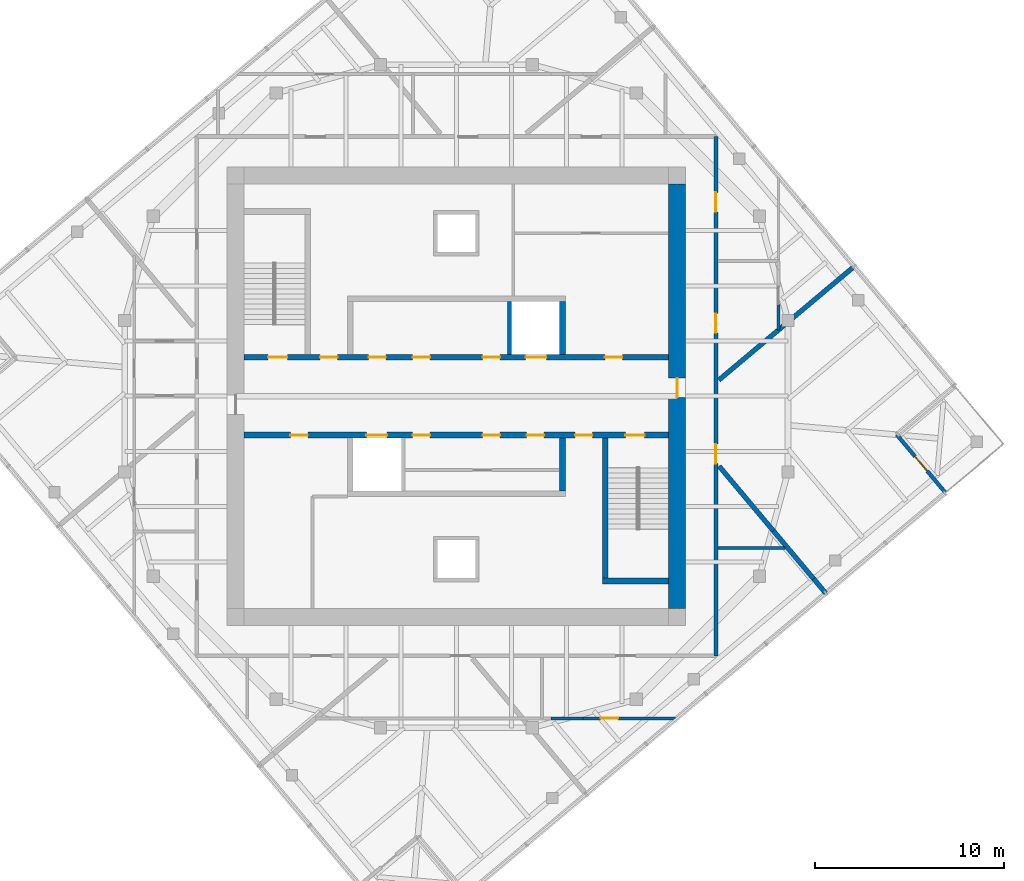
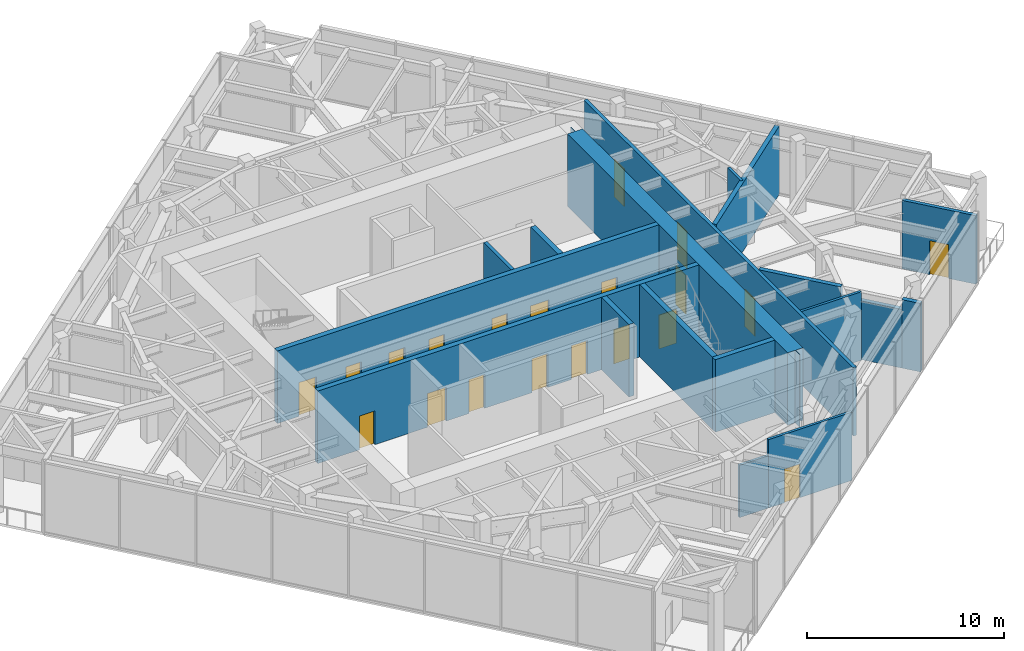
# One storey, part 9 of 11: 20 doors, 18 walls, 20 openings.
"""IFC4 building model written with IfcOpenShell, lengths in metres."""

from ifc_helpers import new_model, si_unit, direction, frame, frame_2d, origin, place, context, subcontext, project, spatial, polyline, rectangle, outline, extrude, material, layer, layer_set, type_object, element, fill, save


model = new_model("IFC4")

# Units and contexts
model_context = context("Model", 3, precision=1e-05, world=origin(), true_north=direction((0.0, 1.0)))
body_context = subcontext(model_context, "Body", "Model", "MODEL_VIEW")
ifc_project = project(units=[si_unit("LENGTHUNIT", "METRE"), si_unit("AREAUNIT", "SQUARE_METRE"), si_unit("VOLUMEUNIT", "CUBIC_METRE"), si_unit("PLANEANGLEUNIT", "RADIAN"), si_unit("MASSUNIT", "GRAM", prefix="KILO")], contexts=[model_context])

# Site, building, storey
site_placement = place(None, origin())
site = spatial("IfcSite", under=ifc_project, at=site_placement, CompositionType="ELEMENT")
building_placement = place(site_placement, origin())
building = spatial("IfcBuilding", under=site, at=building_placement, Name="Torsade Residences", CompositionType="ELEMENT")
storey_placement = place(building_placement, frame((0.0, 0.0, 304.300048828125)))
storey = spatial("IfcBuildingStorey", under=building, at=storey_placement, Name="L84", CompositionType="ELEMENT", Elevation=304.300048828125)

# Wall, openings, doors
ifc_material_1 = material(Name="Concrete 80 MPa", Category="concrete")
ifc_layer_1 = layer(ifc_material_1, 0.300048828125)
ifc_layer_set_1 = layer_set([ifc_layer_1], Name="Concrete 80 MPa")
wall_type_1 = type_object("IfcWallType", Name="CORE INTERNAL WALL 300", PredefinedType="SHEAR", material=ifc_layer_set_1)
wall_1_placement = place(storey_placement, frame((28.800048828125, 32.050048828125, 0.0), z_axis=(0.0, 0.0, 1.0), x_axis=(1.0, 0.0, 0.0)))
wall_1 = element("IfcWall", 1, at=wall_1_placement, inside=storey, type_object=wall_type_1, Name="Core wall LN L84", PredefinedType="SHEAR", context=body_context, shape_type="SweptSolid", body=[
    extrude(rectangle(XDim=22.39990234375, YDim=0.300048828125, at=frame_2d((11.199951171875, 0.0))), origin(), (0.0, 0.0, 1.0), 4.5),
])
opening_1_placement = place(wall_1_placement, frame((19.0400390625, 0.0, 0.0)))
opening_1 = element("IfcOpeningElement", 2, at=opening_1_placement, cuts=wall_1, Name="Opening D06", PredefinedType="OPENING", context=body_context, shape_type="SweptSolid", body=[
    extrude(rectangle(XDim=0.919921875, YDim=2.10009765625, at=frame_2d((0.4599609375, 1.050048828125))), frame((0.0, 0.159912109375, 0.0), z_axis=(0.0, -1.0, 0.0), x_axis=(1.0, 0.0, 0.0)), (0.0, 0.0, 1.0), 0.320068359375),
])
opening_2_placement = place(wall_1_placement, frame((1.264892578125, 0.0, 0.0)))
opening_2 = element("IfcOpeningElement", 3, at=opening_2_placement, cuts=wall_1, Name="Opening D03", PredefinedType="OPENING", context=body_context, shape_type="SweptSolid", body=[
    extrude(rectangle(XDim=1.02001953125, YDim=2.10009765625, at=frame_2d((0.510009765625, 1.050048828125))), frame((0.0, 0.159912109375, 0.0), z_axis=(0.0, -1.0, 0.0), x_axis=(1.0, 0.0, 0.0)), (0.0, 0.0, 1.0), 0.320068359375),
])
opening_3_placement = place(wall_1_placement, frame((4.014892578125, 0.0, 0.0)))
opening_3 = element("IfcOpeningElement", 4, at=opening_3_placement, cuts=wall_1, Name="Opening D06", PredefinedType="OPENING", context=body_context, shape_type="SweptSolid", body=[
    extrude(rectangle(XDim=0.919921875, YDim=2.10009765625, at=frame_2d((0.4599609375, 1.050048828125))), frame((0.0, 0.159912109375, 0.0), z_axis=(0.0, -1.0, 0.0), x_axis=(1.0, 0.0, 0.0)), (0.0, 0.0, 1.0), 0.320068359375),
])
opening_4_placement = place(wall_1_placement, frame((6.56494140625, 0.0, 0.0)))
opening_4 = element("IfcOpeningElement", 5, at=opening_4_placement, cuts=wall_1, Name="Opening D06", PredefinedType="OPENING", context=body_context, shape_type="SweptSolid", body=[
    extrude(rectangle(XDim=0.919921875, YDim=2.10009765625, at=frame_2d((0.4599609375, 1.050048828125))), frame((0.0, 0.159912109375, 0.0), z_axis=(0.0, -1.0, 0.0), x_axis=(1.0, 0.0, 0.0)), (0.0, 0.0, 1.0), 0.320068359375),
])
opening_5_placement = place(wall_1_placement, frame((8.889892578125, 0.0, 0.0)))
opening_5 = element("IfcOpeningElement", 6, at=opening_5_placement, cuts=wall_1, Name="Opening D06", PredefinedType="OPENING", context=body_context, shape_type="SweptSolid", body=[
    extrude(rectangle(XDim=0.919921875, YDim=2.10009765625, at=frame_2d((0.4599609375, 1.050048828125))), frame((0.0, 0.159912109375, 0.0), z_axis=(0.0, -1.0, 0.0), x_axis=(1.0, 0.0, 0.0)), (0.0, 0.0, 1.0), 0.320068359375),
])
opening_6_placement = place(wall_1_placement, frame((12.590087890625, 0.0, 0.0)))
opening_6 = element("IfcOpeningElement", 7, at=opening_6_placement, cuts=wall_1, Name="Opening D06", PredefinedType="OPENING", context=body_context, shape_type="SweptSolid", body=[
    extrude(rectangle(XDim=0.919921875, YDim=2.10009765625, at=frame_2d((0.4599609375, 1.050048828125))), frame((0.0, 0.159912109375, 0.0), z_axis=(0.0, -1.0, 0.0), x_axis=(1.0, 0.0, 0.0)), (0.0, 0.0, 1.0), 0.320068359375),
])
opening_7_placement = place(wall_1_placement, frame((14.85009765625, 0.0, 0.0)))
opening_7 = element("IfcOpeningElement", 8, at=opening_7_placement, cuts=wall_1, Name="Opening LD", PredefinedType="OPENING", context=body_context, shape_type="SweptSolid", body=[
    extrude(rectangle(XDim=1.10009765625, YDim=2.10009765625, at=frame_2d((0.550048828125, 1.050048828125))), frame((0.0, 0.159912109375, 0.0), z_axis=(0.0, -1.0, 0.0), x_axis=(1.0, 0.0, 0.0)), (0.0, 0.0, 1.0), 0.320068359375),
])
ifc_material_2 = material(Name="Steel-framed fire door", Category="steel")
door_type_1 = type_object("IfcDoorType", Name="FIRE DOOR 1020", OperationType="NOTDEFINED", PredefinedType="DOOR", material=ifc_material_2)
door_1_placement = place(opening_2_placement, origin())
door_1 = element("IfcDoor", 9, at=door_1_placement, inside=storey, type_object=door_type_1, Name="Exit door to fire-isolated stair ST1 L84", OperationType="SINGLE_SWING_RIGHT", OverallHeight=2.10009765625, OverallWidth=1.02001953125, PredefinedType="DOOR", context=body_context, shape_type="SweptSolid", body=[
    extrude(rectangle(XDim=1.02001953125, YDim=2.10009765625, at=frame_2d((0.510009765625, 1.050048828125))), frame((0.0, 0.02490234375, 0.0), z_axis=(0.0, -1.0, 0.0), x_axis=(1.0, 0.0, 0.0)), (0.0, 0.0, 1.0), 0.050048828125),
])
fill(opening_2, door_1)
ifc_material_3 = material(Name="Steel-framed fire door", Category="steel")
door_type_2 = type_object("IfcDoorType", Name="FIRE DOOR 920", OperationType="NOTDEFINED", PredefinedType="DOOR", material=ifc_material_3)
door_2_placement = place(opening_1_placement, origin())
door_2 = element("IfcDoor", 10, at=door_2_placement, inside=storey, type_object=door_type_2, Name="Door Lift lobby to Refuse room", OperationType="SINGLE_SWING_LEFT", OverallHeight=2.10009765625, OverallWidth=0.919921875, PredefinedType="DOOR", context=body_context, shape_type="SweptSolid", body=[
    extrude(rectangle(XDim=0.919921875, YDim=2.10009765625, at=frame_2d((0.4599609375, 1.050048828125))), frame((0.0, 0.02490234375, 0.0), z_axis=(0.0, -1.0, 0.0), x_axis=(1.0, 0.0, 0.0)), (0.0, 0.0, 1.0), 0.050048828125),
])
fill(opening_1, door_2)
door_3_placement = place(opening_3_placement, origin())
door_3 = element("IfcDoor", 11, at=door_3_placement, inside=storey, type_object=door_type_2, Name="Door Lift lobby to Electrical riser room", OperationType="SINGLE_SWING_LEFT", OverallHeight=2.10009765625, OverallWidth=0.919921875, PredefinedType="DOOR", context=body_context, shape_type="SweptSolid", body=[
    extrude(rectangle(XDim=0.919921875, YDim=2.10009765625, at=frame_2d((0.4599609375, 1.050048828125))), frame((0.0, 0.02490234375, 0.0), z_axis=(0.0, -1.0, 0.0), x_axis=(1.0, 0.0, 0.0)), (0.0, 0.0, 1.0), 0.050048828125),
])
fill(opening_3, door_3)
door_4_placement = place(opening_4_placement, origin())
door_4 = element("IfcDoor", 12, at=door_4_placement, inside=storey, type_object=door_type_2, Name="Door Lift lobby to Tools store L84A", OperationType="SINGLE_SWING_RIGHT", OverallHeight=2.10009765625, OverallWidth=0.919921875, PredefinedType="DOOR", context=body_context, shape_type="SweptSolid", body=[
    extrude(rectangle(XDim=0.919921875, YDim=2.10009765625, at=frame_2d((0.4599609375, 1.050048828125))), frame((0.0, 0.02490234375, 0.0), z_axis=(0.0, -1.0, 0.0), x_axis=(1.0, 0.0, 0.0)), (0.0, 0.0, 1.0), 0.050048828125),
])
fill(opening_4, door_4)
door_5_placement = place(opening_5_placement, origin())
door_5 = element("IfcDoor", 13, at=door_5_placement, inside=storey, type_object=door_type_2, Name="Door Lift lobby to Tools store L84A", OperationType="SINGLE_SWING_LEFT", OverallHeight=2.10009765625, OverallWidth=0.919921875, PredefinedType="DOOR", context=body_context, shape_type="SweptSolid", body=[
    extrude(rectangle(XDim=0.919921875, YDim=2.10009765625, at=frame_2d((0.4599609375, 1.050048828125))), frame((0.0, 0.02490234375, 0.0), z_axis=(0.0, -1.0, 0.0), x_axis=(1.0, 0.0, 0.0)), (0.0, 0.0, 1.0), 0.050048828125),
])
fill(opening_5, door_5)
door_6_placement = place(opening_6_placement, origin())
door_6 = element("IfcDoor", 14, at=door_6_placement, inside=storey, type_object=door_type_2, Name="Door Lift lobby to Tools store L84A", OperationType="SINGLE_SWING_RIGHT", OverallHeight=2.10009765625, OverallWidth=0.919921875, PredefinedType="DOOR", context=body_context, shape_type="SweptSolid", body=[
    extrude(rectangle(XDim=0.919921875, YDim=2.10009765625, at=frame_2d((0.4599609375, 1.050048828125))), frame((0.0, 0.02490234375, 0.0), z_axis=(0.0, -1.0, 0.0), x_axis=(1.0, 0.0, 0.0)), (0.0, 0.0, 1.0), 0.050048828125),
])
fill(opening_6, door_6)
ifc_material_4 = material(Name="Stainless steel lift landing door", Category="steel")
door_type_3 = type_object("IfcDoorType", Name="LIFT LANDING DOOR 1100", OperationType="SLIDING_TO_LEFT", PredefinedType="DOOR", material=ifc_material_4)
door_7_placement = place(opening_7_placement, origin())
door_7 = element("IfcDoor", 15, at=door_7_placement, inside=storey, type_object=door_type_3, Name="Lift FL1 landing door L84", OperationType="SLIDING_TO_LEFT", OverallHeight=2.10009765625, OverallWidth=1.10009765625, PredefinedType="DOOR", context=body_context, shape_type="SweptSolid", body=[
    extrude(rectangle(XDim=1.10009765625, YDim=2.10009765625, at=frame_2d((0.550048828125, 1.050048828125))), frame((0.0, 0.02490234375, 0.0), z_axis=(0.0, -1.0, 0.0), x_axis=(1.0, 0.0, 0.0)), (0.0, 0.0, 1.0), 0.050048828125),
])
fill(opening_7, door_7)

wall_2_placement = place(storey_placement, frame((51.199951171875, 27.949951171875, 0.0), z_axis=(0.0, 0.0, 1.0), x_axis=(-1.0, 0.0, 0.0)))
wall_2 = element("IfcWall", 16, at=wall_2_placement, inside=storey, type_object=wall_type_1, Name="Core wall LS L84", PredefinedType="SHEAR", context=body_context, shape_type="SweptSolid", body=[
    extrude(rectangle(XDim=22.39990234375, YDim=0.300048828125, at=frame_2d((11.199951171875, 0.0))), origin(), (0.0, 0.0, 1.0), 4.5),
])
opening_8_placement = place(wall_2_placement, frame((19.0400390625, 0.0, 0.0)))
opening_8 = element("IfcOpeningElement", 17, at=opening_8_placement, cuts=wall_2, Name="Opening D06", PredefinedType="OPENING", context=body_context, shape_type="SweptSolid", body=[
    extrude(rectangle(XDim=0.919921875, YDim=2.10009765625, at=frame_2d((0.4599609375, 1.050048828125))), frame((0.0, 0.159912109375, 0.0), z_axis=(0.0, -1.0, 0.0), x_axis=(1.0, 0.0, 0.0)), (0.0, 0.0, 1.0), 0.320068359375),
])
opening_9_placement = place(wall_2_placement, frame((1.264892578125, 0.0, 0.0)))
opening_9 = element("IfcOpeningElement", 18, at=opening_9_placement, cuts=wall_2, Name="Opening D03", PredefinedType="OPENING", context=body_context, shape_type="SweptSolid", body=[
    extrude(rectangle(XDim=1.02001953125, YDim=2.10009765625, at=frame_2d((0.510009765625, 1.050048828125))), frame((0.0, 0.159912109375, 0.0), z_axis=(0.0, -1.0, 0.0), x_axis=(1.0, 0.0, 0.0)), (0.0, 0.0, 1.0), 0.320068359375),
])
opening_10_placement = place(wall_2_placement, frame((4.014892578125, 0.0, 0.0)))
opening_10 = element("IfcOpeningElement", 19, at=opening_10_placement, cuts=wall_2, Name="Opening D06", PredefinedType="OPENING", context=body_context, shape_type="SweptSolid", body=[
    extrude(rectangle(XDim=0.919921875, YDim=2.10009765625, at=frame_2d((0.4599609375, 1.050048828125))), frame((0.0, 0.159912109375, 0.0), z_axis=(0.0, -1.0, 0.0), x_axis=(1.0, 0.0, 0.0)), (0.0, 0.0, 1.0), 0.320068359375),
])
opening_11_placement = place(wall_2_placement, frame((12.590087890625, 0.0, 0.0)))
opening_11 = element("IfcOpeningElement", 20, at=opening_11_placement, cuts=wall_2, Name="Opening D06", PredefinedType="OPENING", context=body_context, shape_type="SweptSolid", body=[
    extrude(rectangle(XDim=0.919921875, YDim=2.10009765625, at=frame_2d((0.4599609375, 1.050048828125))), frame((0.0, 0.159912109375, 0.0), z_axis=(0.0, -1.0, 0.0), x_axis=(1.0, 0.0, 0.0)), (0.0, 0.0, 1.0), 0.320068359375),
])
opening_12_placement = place(wall_2_placement, frame((8.889892578125, 0.0, 0.0)))
opening_12 = element("IfcOpeningElement", 21, at=opening_12_placement, cuts=wall_2, Name="Opening D06", PredefinedType="OPENING", context=body_context, shape_type="SweptSolid", body=[
    extrude(rectangle(XDim=0.919921875, YDim=2.10009765625, at=frame_2d((0.4599609375, 1.050048828125))), frame((0.0, 0.159912109375, 0.0), z_axis=(0.0, -1.0, 0.0), x_axis=(1.0, 0.0, 0.0)), (0.0, 0.0, 1.0), 0.320068359375),
])
opening_13_placement = place(wall_2_placement, frame((6.56494140625, 0.0, 0.0)))
opening_13 = element("IfcOpeningElement", 22, at=opening_13_placement, cuts=wall_2, Name="Opening D06", PredefinedType="OPENING", context=body_context, shape_type="SweptSolid", body=[
    extrude(rectangle(XDim=0.919921875, YDim=2.10009765625, at=frame_2d((0.4599609375, 1.050048828125))), frame((0.0, 0.159912109375, 0.0), z_axis=(0.0, -1.0, 0.0), x_axis=(1.0, 0.0, 0.0)), (0.0, 0.0, 1.0), 0.320068359375),
])
opening_14_placement = place(wall_2_placement, frame((14.85009765625, 0.0, 0.0)))
opening_14 = element("IfcOpeningElement", 23, at=opening_14_placement, cuts=wall_2, Name="Opening LD", PredefinedType="OPENING", context=body_context, shape_type="SweptSolid", body=[
    extrude(rectangle(XDim=1.10009765625, YDim=2.10009765625, at=frame_2d((0.550048828125, 1.050048828125))), frame((0.0, 0.159912109375, 0.0), z_axis=(0.0, -1.0, 0.0), x_axis=(1.0, 0.0, 0.0)), (0.0, 0.0, 1.0), 0.320068359375),
])
door_8_placement = place(opening_9_placement, origin())
door_8 = element("IfcDoor", 24, at=door_8_placement, inside=storey, type_object=door_type_1, Name="Exit door to fire-isolated stair ST2 L84", OperationType="SINGLE_SWING_RIGHT", OverallHeight=2.10009765625, OverallWidth=1.02001953125, PredefinedType="DOOR", context=body_context, shape_type="SweptSolid", body=[
    extrude(rectangle(XDim=1.02001953125, YDim=2.10009765625, at=frame_2d((0.510009765625, 1.050048828125))), frame((0.0, 0.02490234375, 0.0), z_axis=(0.0, -1.0, 0.0), x_axis=(1.0, 0.0, 0.0)), (0.0, 0.0, 1.0), 0.050048828125),
])
fill(opening_9, door_8)
door_9_placement = place(opening_8_placement, origin())
door_9 = element("IfcDoor", 25, at=door_9_placement, inside=storey, type_object=door_type_2, Name="Door Lift lobby to Cleaner store", OperationType="SINGLE_SWING_LEFT", OverallHeight=2.10009765625, OverallWidth=0.919921875, PredefinedType="DOOR", context=body_context, shape_type="SweptSolid", body=[
    extrude(rectangle(XDim=0.919921875, YDim=2.10009765625, at=frame_2d((0.4599609375, 1.050048828125))), frame((0.0, 0.02490234375, 0.0), z_axis=(0.0, -1.0, 0.0), x_axis=(1.0, 0.0, 0.0)), (0.0, 0.0, 1.0), 0.050048828125),
])
fill(opening_8, door_9)
door_10_placement = place(opening_10_placement, origin())
door_10 = element("IfcDoor", 26, at=door_10_placement, inside=storey, type_object=door_type_2, Name="Door Lift lobby to Communications riser room", OperationType="SINGLE_SWING_RIGHT", OverallHeight=2.10009765625, OverallWidth=0.919921875, PredefinedType="DOOR", context=body_context, shape_type="SweptSolid", body=[
    extrude(rectangle(XDim=0.919921875, YDim=2.10009765625, at=frame_2d((0.4599609375, 1.050048828125))), frame((0.0, 0.02490234375, 0.0), z_axis=(0.0, -1.0, 0.0), x_axis=(1.0, 0.0, 0.0)), (0.0, 0.0, 1.0), 0.050048828125),
])
fill(opening_10, door_10)
door_11_placement = place(opening_11_placement, origin())
door_11 = element("IfcDoor", 27, at=door_11_placement, inside=storey, type_object=door_type_2, Name="Door Lift lobby to Filter store L84B", OperationType="SINGLE_SWING_RIGHT", OverallHeight=2.10009765625, OverallWidth=0.919921875, PredefinedType="DOOR", context=body_context, shape_type="SweptSolid", body=[
    extrude(rectangle(XDim=0.919921875, YDim=2.10009765625, at=frame_2d((0.4599609375, 1.050048828125))), frame((0.0, 0.02490234375, 0.0), z_axis=(0.0, -1.0, 0.0), x_axis=(1.0, 0.0, 0.0)), (0.0, 0.0, 1.0), 0.050048828125),
])
fill(opening_11, door_11)
door_12_placement = place(opening_12_placement, origin())
door_12 = element("IfcDoor", 28, at=door_12_placement, inside=storey, type_object=door_type_2, Name="Door Lift lobby to Filter store L84B", OperationType="SINGLE_SWING_LEFT", OverallHeight=2.10009765625, OverallWidth=0.919921875, PredefinedType="DOOR", context=body_context, shape_type="SweptSolid", body=[
    extrude(rectangle(XDim=0.919921875, YDim=2.10009765625, at=frame_2d((0.4599609375, 1.050048828125))), frame((0.0, 0.02490234375, 0.0), z_axis=(0.0, -1.0, 0.0), x_axis=(1.0, 0.0, 0.0)), (0.0, 0.0, 1.0), 0.050048828125),
])
fill(opening_12, door_12)
door_13_placement = place(opening_13_placement, origin())
door_13 = element("IfcDoor", 29, at=door_13_placement, inside=storey, type_object=door_type_2, Name="Door Lift lobby to Filter store L84B", OperationType="SINGLE_SWING_LEFT", OverallHeight=2.10009765625, OverallWidth=0.919921875, PredefinedType="DOOR", context=body_context, shape_type="SweptSolid", body=[
    extrude(rectangle(XDim=0.919921875, YDim=2.10009765625, at=frame_2d((0.4599609375, 1.050048828125))), frame((0.0, 0.02490234375, 0.0), z_axis=(0.0, -1.0, 0.0), x_axis=(1.0, 0.0, 0.0)), (0.0, 0.0, 1.0), 0.050048828125),
])
fill(opening_13, door_13)
door_14_placement = place(opening_14_placement, origin())
door_14 = element("IfcDoor", 30, at=door_14_placement, inside=storey, type_object=door_type_3, Name="Lift FL2 landing door L84", OperationType="SLIDING_TO_LEFT", OverallHeight=2.10009765625, OverallWidth=1.10009765625, PredefinedType="DOOR", context=body_context, shape_type="SweptSolid", body=[
    extrude(rectangle(XDim=1.10009765625, YDim=2.10009765625, at=frame_2d((0.550048828125, 1.050048828125))), frame((0.0, 0.02490234375, 0.0), z_axis=(0.0, -1.0, 0.0), x_axis=(1.0, 0.0, 0.0)), (0.0, 0.0, 1.0), 0.050048828125),
])
fill(opening_14, door_14)

# Walls
for number, where, z_axis, x_axis, name in (
    (31, (45.60009765625, 27.800048828125, 0.0), (0.0, 0.0, 1.0), (0.0, -1.0, 0.0), "Core wall DS0 L84"),
    (32, (45.60009765625, 32.199951171875, 0.0), (0.0, 0.0, 1.0), (0.0, 1.0, 0.0), "Core wall DN4 L84"),
):
    element("IfcWall", number, at=place(storey_placement, frame(where, z_axis=z_axis, x_axis=x_axis)), inside=storey, type_object=wall_type_1, Name=name, PredefinedType="SHEAR", context=body_context, shape_type="SweptSolid", body=[
        extrude(rectangle(XDim=2.800048828125, YDim=0.300048828125, at=frame_2d((1.39990234375, 0.0))), origin(), (0.0, 0.0, 1.0), 4.5),
    ])
wall_3_placement = place(storey_placement, frame((47.85009765625, 27.800048828125, 0.0), z_axis=(0.0, 0.0, 1.0), x_axis=(0.0, -1.0, 0.0)))
element("IfcWall", 33, at=wall_3_placement, inside=storey, type_object=wall_type_1, Name="Core wall ST2W L84", PredefinedType="SHEAR", context=body_context, shape_type="SweptSolid", body=[
    extrude(rectangle(XDim=7.699951171875, YDim=0.300048828125, at=frame_2d((3.85009765625, 0.0))), origin(), (0.0, 0.0, 1.0), 4.5),
])
wall_4_placement = place(storey_placement, frame((51.199951171875, 20.25, 0.0), z_axis=(0.0, 0.0, 1.0), x_axis=(-1.0, 0.0, 0.0)))
element("IfcWall", 34, at=wall_4_placement, inside=storey, type_object=wall_type_1, Name="Core wall ST2S L84", PredefinedType="SHEAR", context=body_context, shape_type="SweptSolid", body=[
    extrude(rectangle(XDim=3.5, YDim=0.300048828125, at=frame_2d((1.75, 0.0))), origin(), (0.0, 0.0, 1.0), 4.5),
])

# Wall, opening, door
ifc_material_5 = material(Name="Concrete 80 MPa", Category="concrete")
ifc_layer_2 = layer(ifc_material_5, 0.89990234375)
ifc_layer_set_2 = layer_set([ifc_layer_2], Name="Concrete 80 MPa")
wall_type_2 = type_object("IfcWallType", Name="CORE WALL 900", PredefinedType="SHEAR", material=ifc_layer_set_2)
wall_5_placement = place(storey_placement, frame((51.64990234375, 18.800048828125, 0.0), z_axis=(0.0, 0.0, 1.0), x_axis=(0.0, 1.0, 0.0)))
wall_5 = element("IfcWall", 35, at=wall_5_placement, inside=storey, type_object=wall_type_2, Name="Core wall E L84", PredefinedType="SHEAR", context=body_context, shape_type="SweptSolid", body=[
    extrude(outline(polyline([(0.0, -0.449951171875), (22.39990234375, -0.449951171875), (22.39990234375, -0.02490234375), (22.849853515625, -0.02490234375), (22.849853515625, 0.02490234375), (22.39990234375, 0.02490234375), (22.39990234375, 0.449951171875), (0.0, 0.449951171875), (0.0, 0.02490234375), (-0.449951171875, 0.02490234375), (-0.449951171875, -0.02490234375), (0.0, -0.02490234375), (0.0, -0.449951171875)])), origin(), (0.0, 0.0, 1.0), 4.5),
])
opening_15_placement = place(wall_5_placement, frame((11.139892578125, 0.0, 0.0)))
opening_15 = element("IfcOpeningElement", 36, at=opening_15_placement, cuts=wall_5, Name="Opening D04", PredefinedType="OPENING", context=body_context, shape_type="SweptSolid", body=[
    extrude(rectangle(XDim=1.02001953125, YDim=2.39990234375, at=frame_2d((0.510009765625, 1.199951171875))), frame((0.0, 0.4599609375, 0.0), z_axis=(0.0, -1.0, 0.0), x_axis=(1.0, 0.0, 0.0)), (0.0, 0.0, 1.0), 0.919921875),
])
ifc_material_6 = material(Name="Steel-framed fire door", Category="steel")
door_type_4 = type_object("IfcDoorType", Name="LOBBY SMOKE DOOR 1020x2400", OperationType="NOTDEFINED", PredefinedType="DOOR", material=ifc_material_6)
door_15_placement = place(opening_15_placement, origin())
door_15 = element("IfcDoor", 37, at=door_15_placement, inside=storey, type_object=door_type_4, Name="Lift lobby door E L84", OperationType="SINGLE_SWING_LEFT", OverallHeight=2.39990234375, OverallWidth=1.02001953125, PredefinedType="DOOR", context=body_context, shape_type="SweptSolid", body=[
    extrude(rectangle(XDim=1.02001953125, YDim=2.39990234375, at=frame_2d((0.510009765625, 1.199951171875))), frame((0.0, 0.02490234375, 0.0), z_axis=(0.0, -1.0, 0.0), x_axis=(1.0, 0.0, 0.0)), (0.0, 0.0, 1.0), 0.050048828125),
])
fill(opening_15, door_15)

# Wall, openings, doors
ifc_material_7 = material(Name="Plasterboard on steel stud", Category="steel")
ifc_layer_3 = layer(ifc_material_7, 0.199951171875)
ifc_layer_set_3 = layer_set([ifc_layer_3], Name="Plasterboard on steel stud")
wall_type_3 = type_object("IfcWallType", Name="CORRIDOR WALL 200", PredefinedType="PARTITIONING", material=ifc_layer_set_3)
wall_6_placement = place(storey_placement, frame((53.699951171875, 16.300048828125, 0.0), z_axis=(0.0, 0.0, 1.0), x_axis=(0.0, 1.0, 0.0)))
wall_6 = element("IfcWall", 38, at=wall_6_placement, inside=storey, type_object=wall_type_3, Name="Corridor wall L84", PredefinedType="PARTITIONING", context=body_context, shape_type="SweptSolid", body=[
    extrude(rectangle(XDim=27.39990234375, YDim=0.199951171875, at=frame_2d((13.699951171875, 0.0))), origin(), (0.0, 0.0, 1.0), 4.25),
])
opening_16_placement = place(wall_6_placement, frame((10.146240234375, 0.0, 0.0)))
opening_16 = element("IfcOpeningElement", 39, at=opening_16_placement, cuts=wall_6, Name="Opening D01", PredefinedType="OPENING", context=body_context, shape_type="SweptSolid", body=[
    extrude(rectangle(XDim=1.02001953125, YDim=2.340087890625, at=frame_2d((0.510009765625, 1.169921875))), frame((0.0, 0.10986328125, 0.0), z_axis=(0.0, -1.0, 0.0), x_axis=(1.0, 0.0, 0.0)), (0.0, 0.0, 1.0), 0.219970703125),
])
opening_17_placement = place(wall_6_placement, frame((17.0419921875, 0.0, 0.0)))
opening_17 = element("IfcOpeningElement", 40, at=opening_17_placement, cuts=wall_6, Name="Opening D01", PredefinedType="OPENING", context=body_context, shape_type="SweptSolid", body=[
    extrude(rectangle(XDim=1.02001953125, YDim=2.340087890625, at=frame_2d((0.510009765625, 1.169921875))), frame((0.0, 0.10986328125, 0.0), z_axis=(0.0, -1.0, 0.0), x_axis=(1.0, 0.0, 0.0)), (0.0, 0.0, 1.0), 0.219970703125),
])
opening_18_placement = place(wall_6_placement, frame((23.43408203125, 0.0, 0.0)))
opening_18 = element("IfcOpeningElement", 41, at=opening_18_placement, cuts=wall_6, Name="Opening D01", PredefinedType="OPENING", context=body_context, shape_type="SweptSolid", body=[
    extrude(rectangle(XDim=1.02001953125, YDim=2.340087890625, at=frame_2d((0.510009765625, 1.169921875))), frame((0.0, 0.10986328125, 0.0), z_axis=(0.0, -1.0, 0.0), x_axis=(1.0, 0.0, 0.0)), (0.0, 0.0, 1.0), 0.219970703125),
])
ifc_material_8 = material(Name="Solid-core timber fire door", Category="wood")
door_type_5 = type_object("IfcDoorType", Name="APARTMENT ENTRY DOOR 1020x2340", OperationType="NOTDEFINED", PredefinedType="DOOR", material=ifc_material_8)
door_16_placement = place(opening_16_placement, origin())
door_16 = element("IfcDoor", 42, at=door_16_placement, inside=storey, type_object=door_type_5, Name="Door Plant corridor to Plant cupboard", OperationType="SINGLE_SWING_RIGHT", OverallHeight=2.340087890625, OverallWidth=1.02001953125, PredefinedType="DOOR", context=body_context, shape_type="SweptSolid", body=[
    extrude(rectangle(XDim=1.02001953125, YDim=2.340087890625, at=frame_2d((0.510009765625, 1.169921875))), frame((0.0, 0.02490234375, 0.0), z_axis=(0.0, -1.0, 0.0), x_axis=(1.0, 0.0, 0.0)), (0.0, 0.0, 1.0), 0.050048828125),
])
fill(opening_16, door_16)
door_17_placement = place(opening_17_placement, origin())
door_17 = element("IfcDoor", 43, at=door_17_placement, inside=storey, type_object=door_type_5, Name="Door Plant corridor to Store", OperationType="SINGLE_SWING_RIGHT", OverallHeight=2.340087890625, OverallWidth=1.02001953125, PredefinedType="DOOR", context=body_context, shape_type="SweptSolid", body=[
    extrude(rectangle(XDim=1.02001953125, YDim=2.340087890625, at=frame_2d((0.510009765625, 1.169921875))), frame((0.0, 0.02490234375, 0.0), z_axis=(0.0, -1.0, 0.0), x_axis=(1.0, 0.0, 0.0)), (0.0, 0.0, 1.0), 0.050048828125),
])
fill(opening_17, door_17)
door_18_placement = place(opening_18_placement, origin())
door_18 = element("IfcDoor", 44, at=door_18_placement, inside=storey, type_object=door_type_5, Name="Door Plant corridor to Service lobby", OperationType="SINGLE_SWING_RIGHT", OverallHeight=2.340087890625, OverallWidth=1.02001953125, PredefinedType="DOOR", context=body_context, shape_type="SweptSolid", body=[
    extrude(rectangle(XDim=1.02001953125, YDim=2.340087890625, at=frame_2d((0.510009765625, 1.169921875))), frame((0.0, 0.02490234375, 0.0), z_axis=(0.0, -1.0, 0.0), x_axis=(1.0, 0.0, 0.0)), (0.0, 0.0, 1.0), 0.050048828125),
])
fill(opening_18, door_18)

# Walls
ifc_material_9 = material(Name="Reinforced blockwork", Category="masonry")
ifc_layer_4 = layer(ifc_material_9, 0.199951171875)
ifc_layer_set_4 = layer_set([ifc_layer_4], Name="Reinforced blockwork")
wall_type_4 = type_object("IfcWallType", Name="LIFT SHAFT DIVIDING WALL 200", PredefinedType="SOLIDWALL", material=ifc_layer_set_4)
wall_7_placement = place(storey_placement, frame((42.800048828125, 32.199951171875, 0.0), z_axis=(0.0, 0.0, 1.0), x_axis=(0.0, 1.0, 0.0)))
element("IfcWall", 45, at=wall_7_placement, inside=storey, type_object=wall_type_4, Name="Core wall DN3 L84", PredefinedType="SOLIDWALL", context=body_context, shape_type="SweptSolid", body=[
    extrude(rectangle(XDim=2.800048828125, YDim=0.199951171875, at=frame_2d((1.39990234375, 0.0))), origin(), (0.0, 0.0, 1.0), 4.5),
])
ifc_material_10 = material(Name="Masonry-lined stud party wall", Category="masonry")
ifc_layer_5 = layer(ifc_material_10, 0.25)
ifc_layer_set_5 = layer_set([ifc_layer_5], Name="Masonry-lined stud party wall")
wall_type_5 = type_object("IfcWallType", Name="PARTY WALL 250", PredefinedType="PARTITIONING", material=ifc_layer_set_5)
wall_8_placement = place(storey_placement, frame((59.4970703125, 19.59912109375, 0.0), z_axis=(0.0, 0.0, 1.0), x_axis=(-0.64277405138, 0.766055819685, 0.0)))
element("IfcWall", 46, at=wall_8_placement, inside=storey, type_object=wall_type_5, Name="Party wall L84", PredefinedType="PARTITIONING", context=body_context, shape_type="SweptSolid", body=[
    extrude(rectangle(XDim=1.0, YDim=0.25, at=frame_2d((0.5, 0.0))), origin(), (0.0, 0.0, 1.0), 4.25),
])
wall_9_placement = place(storey_placement, frame((58.854248046875, 20.365234375, 0.0), z_axis=(0.0, 0.0, 1.0), x_axis=(-0.642823301165, 0.766014492995, 0.0)))
element("IfcWall", 47, at=wall_9_placement, inside=storey, type_object=wall_type_5, Name="Party wall L84", PredefinedType="PARTITIONING", context=body_context, shape_type="SweptSolid", body=[
    extrude(rectangle(XDim=3.3076171875, YDim=0.25, at=frame_2d((1.65380859375, 0.0))), origin(), (0.0, 0.0, 1.0), 3.637939453125),
])
wall_10_placement = place(storey_placement, frame((56.72802734375, 22.89892578125, 0.0), z_axis=(0.0, 0.0, 1.0), x_axis=(-0.642778620996, 0.766051985436, 0.0)))
element("IfcWall", 48, at=wall_10_placement, inside=storey, type_object=wall_type_5, Name="Party wall L84", PredefinedType="PARTITIONING", context=body_context, shape_type="SweptSolid", body=[
    extrude(rectangle(XDim=4.4462890625, YDim=0.25, at=frame_2d((2.22314453125, 0.0))), origin(), (0.0, 0.0, 1.0), 4.25),
])
wall_11_placement = place(storey_placement, frame((61.0068359375, 36.857177734375, 0.0), z_axis=(0.0, 0.0, 1.0), x_axis=(-0.766045019392, -0.64278692291, 0.0)))
element("IfcWall", 49, at=wall_11_placement, inside=storey, type_object=wall_type_5, Name="Party wall L84", PredefinedType="PARTITIONING", context=body_context, shape_type="SweptSolid", body=[
    extrude(rectangle(XDim=9.343017578125, YDim=0.25, at=frame_2d((4.67138671875, 0.0))), origin(), (0.0, 0.0, 1.0), 4.25),
])

# Wall, opening, door
ifc_material_11 = material(Name="Stone-faced precast concrete 40 MPa panel", Category="masonry")
ifc_layer_6 = layer(ifc_material_11, 0.199951171875)
ifc_layer_set_6 = layer_set([ifc_layer_6], Name="Stone-faced precast concrete 40 MPa panel")
wall_type_6 = type_object("IfcWallType", Name="PLANT ROOM EXTERNAL WALL 200", PredefinedType="SOLIDWALL", material=ifc_layer_set_6)
wall_12_placement = place(storey_placement, frame((65.81689453125, 24.902099609375, 0.0), z_axis=(0.0, 0.0, 1.0), x_axis=(-0.642768287094, 0.766060656284, 0.0)))
wall_12 = element("IfcWall", 50, at=wall_12_placement, inside=storey, type_object=wall_type_6, Name="Plant room wall L84 2", PredefinedType="SOLIDWALL", context=body_context, shape_type="SweptSolid", body=[
    extrude(rectangle(XDim=4.0, YDim=0.199951171875, at=frame_2d((2.0, 0.0))), origin(), (0.0, 0.0, 1.0), 4.25),
])
opening_19_placement = place(wall_12_placement, frame((1.489990234375, 0.0, 0.0)))
opening_19 = element("IfcOpeningElement", 51, at=opening_19_placement, cuts=wall_12, Name="Opening D11", PredefinedType="OPENING", context=body_context, shape_type="SweptSolid", body=[
    extrude(rectangle(XDim=1.02001953125, YDim=2.10009765625, at=frame_2d((0.510009765625, 1.050048828125))), frame((0.0, 0.10986328125, 0.0), z_axis=(0.0, -1.0, 0.0), x_axis=(1.0, 0.0, 0.0)), (0.0, 0.0, 1.0), 0.219970703125),
])
ifc_material_12 = material(Name="Steel-framed external door", Category="steel")
door_type_6 = type_object("IfcDoorType", Name="MAINTENANCE ROOF DOOR 1020", OperationType="NOTDEFINED", PredefinedType="DOOR", material=ifc_material_12)
door_19_placement = place(opening_19_placement, origin())
door_19 = element("IfcDoor", 52, at=door_19_placement, inside=storey, type_object=door_type_6, Name="Terrace maintenance door L84 2", OperationType="SINGLE_SWING_RIGHT", OverallHeight=2.10009765625, OverallWidth=1.02001953125, PredefinedType="DOOR", context=body_context, shape_type="SweptSolid", body=[
    extrude(rectangle(XDim=1.02001953125, YDim=2.10009765625, at=frame_2d((0.510009765625, 1.050048828125))), frame((0.0, 0.02490234375, 0.0), z_axis=(0.0, -1.0, 0.0), x_axis=(1.0, 0.0, 0.0)), (0.0, 0.0, 1.0), 0.050048828125),
])
fill(opening_19, door_19)

# Wall
ifc_material_13 = material(Name="Reinforced blockwork", Category="masonry")
ifc_layer_7 = layer(ifc_material_13, 0.14990234375)
ifc_layer_set_7 = layer_set([ifc_layer_7], Name="Reinforced blockwork")
wall_type_7 = type_object("IfcWallType", Name="SERVICE ROOM WALL 150", PredefinedType="SOLIDWALL", material=ifc_layer_set_7)
wall_13_placement = place(storey_placement, frame((53.800048828125, 21.994140625, 0.0), z_axis=(0.0, 0.0, 1.0), x_axis=(1.0, 0.0, 0.0)))
element("IfcWall", 53, at=wall_13_placement, inside=storey, type_object=wall_type_7, Name="Service room wall L84", PredefinedType="SOLIDWALL", context=body_context, shape_type="SweptSolid", body=[
    extrude(rectangle(XDim=3.544189453125, YDim=0.14990234375, at=frame_2d((1.77197265625, 0.0))), origin(), (0.0, 0.0, 1.0), 4.25),
])

# Wall, opening, door
wall_14_placement = place(storey_placement, frame((51.5703125, 13.0, 0.0), z_axis=(0.0, 0.0, 1.0), x_axis=(-1.0, 0.0, 0.0)))
wall_14 = element("IfcWall", 54, at=wall_14_placement, inside=storey, type_object=wall_type_7, Name="Service room wall L84", PredefinedType="SOLIDWALL", context=body_context, shape_type="SweptSolid", body=[
    extrude(rectangle(XDim=4.891845703125, YDim=0.14990234375, at=frame_2d((2.44580078125, 0.0))), origin(), (0.0, 0.0, 1.0), 4.25),
])
opening_20_placement = place(wall_14_placement, frame((3.032958984375, 0.0, 0.0)))
opening_20 = element("IfcOpeningElement", 55, at=opening_20_placement, cuts=wall_14, Name="Opening D06", PredefinedType="OPENING", context=body_context, shape_type="SweptSolid", body=[
    extrude(rectangle(XDim=0.919921875, YDim=2.10009765625, at=frame_2d((0.4599609375, 1.050048828125))), frame((0.0, 0.0849609375, 0.0), z_axis=(0.0, -1.0, 0.0), x_axis=(1.0, 0.0, 0.0)), (0.0, 0.0, 1.0), 0.169921875),
])
door_20_placement = place(opening_20_placement, origin())
door_20 = element("IfcDoor", 56, at=door_20_placement, inside=storey, type_object=door_type_2, Name="Door Service lobby to Building maintenance unit plant room", OperationType="SINGLE_SWING_RIGHT", OverallHeight=2.10009765625, OverallWidth=0.919921875, PredefinedType="DOOR", context=body_context, shape_type="SweptSolid", body=[
    extrude(rectangle(XDim=0.919921875, YDim=2.10009765625, at=frame_2d((0.4599609375, 1.050048828125))), frame((0.0, 0.02490234375, 0.0), z_axis=(0.0, -1.0, 0.0), x_axis=(1.0, 0.0, 0.0)), (0.0, 0.0, 1.0), 0.050048828125),
])
fill(opening_20, door_20)

# Walls
wall_15_placement = place(storey_placement, frame((46.678466796875, 13.0, 0.0), z_axis=(0.0, 0.0, 1.0), x_axis=(-1.0, 0.0, 0.0)))
element("IfcWall", 57, at=wall_15_placement, inside=storey, type_object=wall_type_7, Name="Service room wall L84", PredefinedType="SOLIDWALL", context=body_context, shape_type="SweptSolid", body=[
    extrude(rectangle(XDim=1.690185546875, YDim=0.14990234375, at=frame_2d((0.84521484375, 0.0))), origin(), (0.0, 0.0, 1.0), 3.25),
])
wall_16_placement = place(storey_placement, frame((57.0, 34.856689453125, 0.0), z_axis=(0.0, 0.0, 1.0), x_axis=(0.0, -1.0, 0.0)))
element("IfcWall", 58, at=wall_16_placement, inside=storey, type_object=wall_type_7, Name="Service room wall L84", PredefinedType="SOLIDWALL", context=body_context, shape_type="SweptSolid", body=[
    extrude(rectangle(XDim=1.361572265625, YDim=0.14990234375, at=frame_2d((0.6806640625, 0.0))), origin(), (0.0, 0.0, 1.0), 4.25),
])

save(model, "model.ifc")
